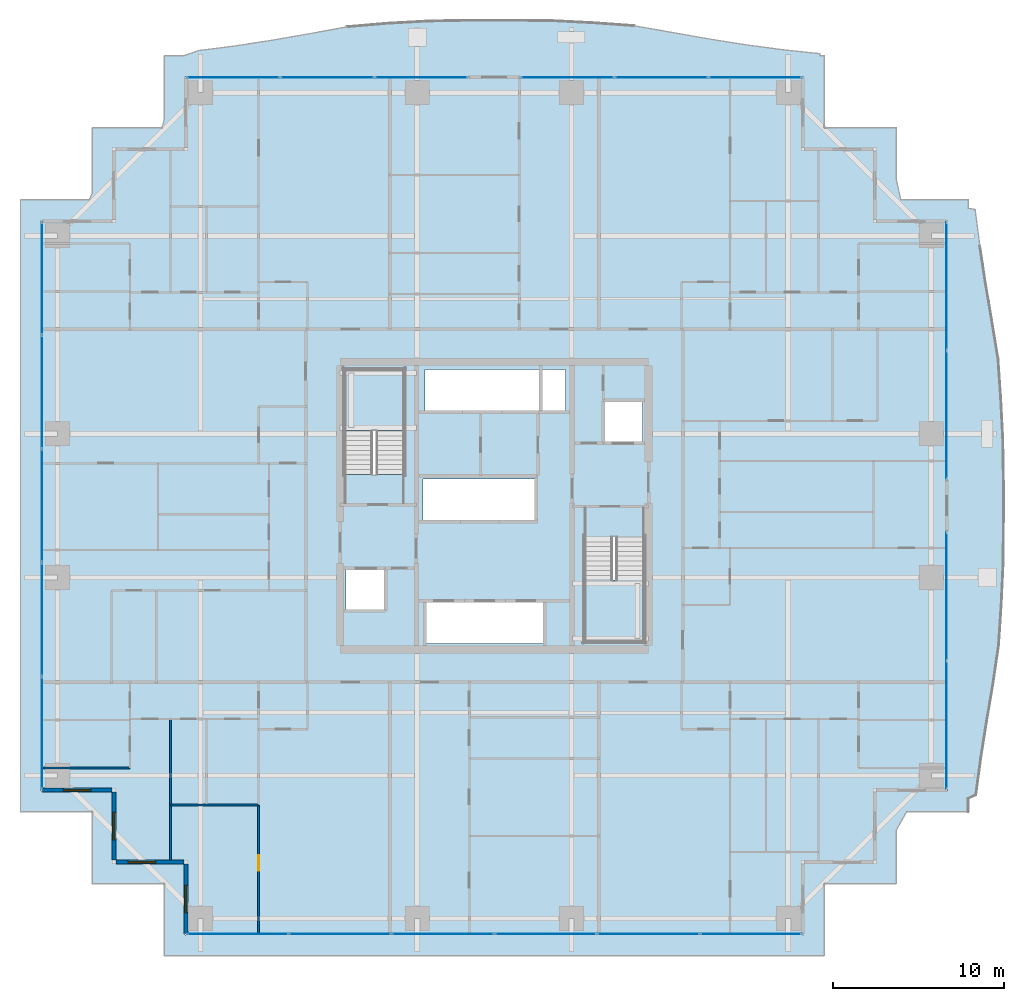
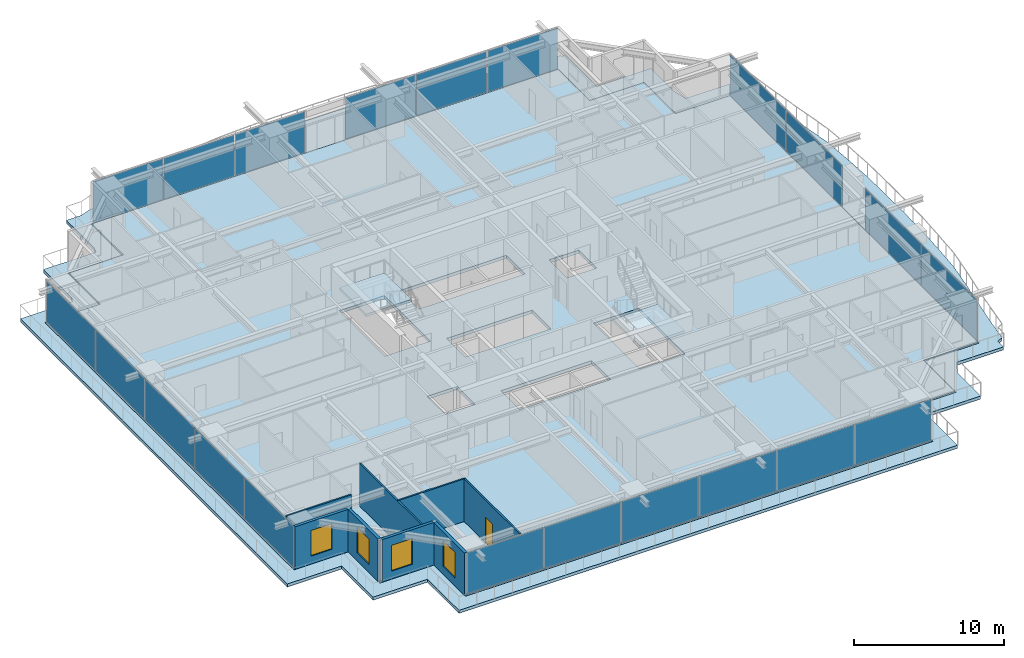
# One storey, part 25 of 37: 21 plates, 8 walls, 4 slabs, 4 windows, 1 door, 5 openings, 8 elements without a shape of their own.
"""IFC4 building model written with IfcOpenShell, lengths in metres."""

import ifcopenshell
import ifcopenshell.guid

model = None  # the IFC model being written
_history = None  # IfcOwnerHistory: only IFC2X3 demands one
_inside = {}  # id of a spatial element -> (the spatial element, [elements in it])
_under = {}  # id of a project, library or spatial element -> (it, [spatial elements below it])
_declared = {}  # id of a project -> (the project, [libraries it declares])
_typed = {}  # id of a type object -> (the type object, [elements of that type])
_made_of = {}  # id of a material, layer set ... -> (it, [elements and type objects made of it])


def new_model(schema):
    """Start an empty IFC model of exactly this schema.

    Asked for "IFC4X3", IfcOpenShell would pick the latest addendum, in which some entities
    have other attributes; the version numbers below select the first issue.
    IFC2X3 requires an IfcOwnerHistory on every rooted entity: one is made here for all.
    """
    global model, _history
    if schema == "IFC4X3":
        model = ifcopenshell.file(schema_version=(4, 3, 0, 0))
    else:
        model = ifcopenshell.file(schema=schema)
    _inside.clear()
    _under.clear()
    _declared.clear()
    _typed.clear()
    _made_of.clear()
    _history = None
    if model.schema == "IFC2X3":
        org = make("IfcOrganization", Name="unknown")
        user = make(
            "IfcPersonAndOrganization",
            ThePerson=make("IfcPerson", FamilyName="unknown"),
            TheOrganization=org,
        )
        app = make(
            "IfcApplication",
            ApplicationDeveloper=org,
            Version="unknown",
            ApplicationFullName="unknown",
            ApplicationIdentifier="unknown",
        )
        _history = make(
            "IfcOwnerHistory",
            OwningUser=user,
            OwningApplication=app,
            ChangeAction="ADDED",
            CreationDate=0,
        )
    return model


def make(cls, **values):
    """One entity of the class cls with the attributes given. An attribute that is None is left unset."""
    return model.create_entity(
        cls, **{name: value for name, value in values.items() if value is not None}
    )


def rooted(cls, **values):
    """An entity with a GlobalId (a new one), such as an element, a storey or a relation."""
    return make(cls, GlobalId=ifcopenshell.guid.new(), OwnerHistory=_history, **values)


def si_unit(unit_type, name, prefix=None):
    """IfcSIUnit, for example si_unit("LENGTHUNIT", "METRE", prefix="MILLI")."""
    return make("IfcSIUnit", UnitType=unit_type, Prefix=prefix, Name=name)


def assignment(units):
    """IfcUnitAssignment: the units of a project."""
    return None if units is None else make("IfcUnitAssignment", Units=units)


def point(xyz):
    """IfcCartesianPoint."""
    return None if xyz is None else make("IfcCartesianPoint", Coordinates=xyz)


def direction(xyz):
    """IfcDirection."""
    return None if xyz is None else make("IfcDirection", DirectionRatios=xyz)


def frame(location, z_axis=None, x_axis=None):
    """IfcAxis2Placement3D, a coordinate frame: its origin and axes. An axis left out is left unset."""
    return make(
        "IfcAxis2Placement3D",
        Location=point(location),
        Axis=direction(z_axis),
        RefDirection=direction(x_axis),
    )


def frame_2d(location, x_axis=None):
    """IfcAxis2Placement2D, a coordinate frame in the plane: its origin and x axis."""
    return make(
        "IfcAxis2Placement2D", Location=point(location), RefDirection=direction(x_axis)
    )


def origin():
    """The frame at (0, 0, 0) with its axes left unset."""
    return frame((0.0, 0.0, 0.0))


def origin_2d():
    """The frame at (0, 0) in the plane with its x axis left unset."""
    return frame_2d((0.0, 0.0))


def place(relative_to, where):
    """IfcLocalPlacement: puts the frame where relative to a parent placement (None: the world)."""
    return make(
        "IfcLocalPlacement", PlacementRelTo=relative_to, RelativePlacement=where
    )


def context(
    kind, dimensions, precision=None, world=None, true_north=None, identifier=None
):
    """IfcGeometricRepresentationContext, for example the 3D "Model" context."""
    return make(
        "IfcGeometricRepresentationContext",
        ContextIdentifier=identifier,
        ContextType=kind,
        CoordinateSpaceDimension=dimensions,
        Precision=precision,
        WorldCoordinateSystem=world,
        TrueNorth=true_north,
    )


def subcontext(parent, identifier, kind, view, scale=None):
    """IfcGeometricRepresentationSubContext, for example "Body" below "Model"."""
    return make(
        "IfcGeometricRepresentationSubContext",
        ContextIdentifier=identifier,
        ContextType=kind,
        ParentContext=parent,
        TargetScale=scale,
        TargetView=view,
    )


def project(units=None, contexts=None):
    """IfcProject with its units and contexts."""
    return rooted(
        "IfcProject",
        Name="project",
        RepresentationContexts=contexts,
        UnitsInContext=assignment(units),
    )


def spatial(cls, under=None, at=None, **own):
    """A site, building, storey or space (cls), placed at a placement, below another one or the project."""
    s = rooted(cls, ObjectPlacement=at, **own)
    if under is not None:
        _under.setdefault(under.id(), (under, []))[1].append(s)
    return s


def polyline(points):
    """IfcPolyline through the points."""
    return make("IfcPolyline", Points=[point(p) for p in points])


def profile(cls, at=None, kind="AREA", **sizes):
    """A parametric profile (cls). Its sizes go by their IFC names, for example OverallWidth=200.0."""
    return make(cls, ProfileType=kind, Position=at, **sizes)


def rectangle(**sizes):
    """IfcRectangleProfileDef."""
    return profile("IfcRectangleProfileDef", **sizes)


def outline(outer, holes=None, kind="AREA"):
    """IfcArbitraryClosedProfileDef: a profile drawn as a closed curve; with holes, ...WithVoids."""
    if holes is None:
        return make("IfcArbitraryClosedProfileDef", ProfileType=kind, OuterCurve=outer)
    return make(
        "IfcArbitraryProfileDefWithVoids",
        ProfileType=kind,
        OuterCurve=outer,
        InnerCurves=holes,
    )


def extrude(swept, where, along, depth):
    """IfcExtrudedAreaSolid: the profile swept, set in the frame where, extruded along a direction by depth."""
    return make(
        "IfcExtrudedAreaSolid",
        SweptArea=swept,
        Position=where,
        ExtrudedDirection=direction(along),
        Depth=depth,
    )


def shape(context_of_items, identifier, shape_type, items):
    """IfcShapeRepresentation: the items that make up one representation, for example the "Body"."""
    return make(
        "IfcShapeRepresentation",
        ContextOfItems=context_of_items,
        RepresentationIdentifier=identifier,
        RepresentationType=shape_type,
        Items=items,
    )


def source(mapping_origin, context_of_items, identifier, shape_type, items):
    """IfcRepresentationMap: a shape defined once, which mapped items show again and again."""
    return make(
        "IfcRepresentationMap",
        MappingOrigin=mapping_origin,
        MappedRepresentation=shape(context_of_items, identifier, shape_type, items),
    )


def transform(
    local_origin,
    x_axis=None,
    y_axis=None,
    z_axis=None,
    scale=None,
    scale2=None,
    scale3=None,
    uniform=True,
):
    """IfcCartesianTransformationOperator3D, or its non-uniform kind. x_axis, y_axis, z_axis: its Axis1, 2, 3."""
    if uniform:
        return make(
            "IfcCartesianTransformationOperator3D",
            Axis1=direction(x_axis),
            Axis2=direction(y_axis),
            LocalOrigin=point(local_origin),
            Scale=scale,
            Axis3=direction(z_axis),
        )
    return make(
        "IfcCartesianTransformationOperator3DnonUniform",
        Axis1=direction(x_axis),
        Axis2=direction(y_axis),
        LocalOrigin=point(local_origin),
        Scale=scale,
        Axis3=direction(z_axis),
        Scale2=scale2,
        Scale3=scale3,
    )


def mapped(mapping_source, mapping_target):
    """IfcMappedItem: shows the shape of a source again, moved by a transform."""
    return make(
        "IfcMappedItem", MappingSource=mapping_source, MappingTarget=mapping_target
    )


def material(Name=None, Category=None):
    """IfcMaterial."""
    return make("IfcMaterial", Name=Name, Category=Category)


def layer(
    of_material, thickness, ventilated=None, Name=None, Category=None, Priority=None
):
    """IfcMaterialLayer: one layer of a wall or slab, of a material (None: an air gap)."""
    return make(
        "IfcMaterialLayer",
        Material=of_material,
        LayerThickness=thickness,
        IsVentilated=ventilated,
        Name=Name,
        Category=Category,
        Priority=Priority,
    )


def layer_set(layers, Name=None):
    """IfcMaterialLayerSet."""
    return make("IfcMaterialLayerSet", MaterialLayers=layers, LayerSetName=Name)


def made_of(thing, what):
    """Note that an element or type object is made of a material, layer set ...; save() writes the relation."""
    if what is not None:
        _made_of.setdefault(what.id(), (what, []))[1].append(thing)
    return thing


def type_object(cls, material=None, **own):
    """A type object (cls), such as IfcWallType, which elements share."""
    return made_of(rooted(cls, **own), material)


def element(
    cls,
    number,
    at=None,
    inside=None,
    cuts=None,
    type_object=None,
    material=None,
    context=None,
    identifier="Body",
    shape_type=None,
    held_by="IfcProductDefinitionShape",
    body=None,
    shapes=None,
    **own,
):
    """One element of the class cls, such as IfcWall. Its Tag is "e" and its number.

    at: its placement. inside: the storey or other place that contains it. cuts: it is an
    opening in that element (IfcRelVoidsElement). A single representation is given by context,
    identifier, shape_type and body (its items); several are given by shapes. held_by: the class
    of the entity that holds the representations. save() writes the other relations.
    """
    e = rooted(cls, Tag="e%d" % number, ObjectPlacement=at, **own)
    if body is not None:
        shapes = [shape(context, identifier, shape_type, body)]
    if shapes is not None:
        e.Representation = make(held_by, Representations=shapes)
    if inside is not None:
        _inside.setdefault(inside.id(), (inside, []))[1].append(e)
    if cuts is not None:
        rooted(
            "IfcRelVoidsElement", RelatingBuildingElement=cuts, RelatedOpeningElement=e
        )
    if type_object is not None:
        _typed.setdefault(type_object.id(), (type_object, []))[1].append(e)
    return made_of(e, material)


def fill(opening, filler):
    """IfcRelFillsElement: the door or window that sits in an opening."""
    return rooted(
        "IfcRelFillsElement",
        RelatingOpeningElement=opening,
        RelatedBuildingElement=filler,
    )


def aggregate(whole, parts):
    """IfcRelAggregates: a whole, such as a stair, and the parts it consists of."""
    return rooted("IfcRelAggregates", RelatingObject=whole, RelatedObjects=parts)


def save(model, path):
    """Write the relations noted so far, then the file.

    IfcRelAggregates (storeys below a building ...), IfcRelContainedInSpatialStructure (elements
    in a storey), IfcRelDefinesByType, IfcRelAssociatesMaterial and IfcRelDeclares: one each for
    every whole, place, type object, material and project.
    """
    for whole, parts in _under.values():
        aggregate(whole, parts)
    for where, things in _inside.values():
        rooted(
            "IfcRelContainedInSpatialStructure",
            RelatedElements=things,
            RelatingStructure=where,
        )
    for kind, things in _typed.values():
        rooted("IfcRelDefinesByType", RelatedObjects=things, RelatingType=kind)
    for what, things in _made_of.values():
        rooted("IfcRelAssociatesMaterial", RelatedObjects=things, RelatingMaterial=what)
    for by, libraries in _declared.values():
        rooted("IfcRelDeclares", RelatingContext=by, RelatedDefinitions=libraries)
    model.write(path)


model = new_model("IFC4")

# Units and contexts
model_context = context("Model", 3, precision=1e-05, world=origin(), true_north=direction((0.0, 1.0)))
body_context = subcontext(model_context, "Body", "Model", "MODEL_VIEW")
ifc_project = project(units=[si_unit("LENGTHUNIT", "METRE"), si_unit("AREAUNIT", "SQUARE_METRE"), si_unit("VOLUMEUNIT", "CUBIC_METRE"), si_unit("PLANEANGLEUNIT", "RADIAN"), si_unit("MASSUNIT", "GRAM", prefix="KILO")], contexts=[model_context])

# Site, building, storey
site_placement = place(None, origin())
site = spatial("IfcSite", under=ifc_project, at=site_placement, CompositionType="ELEMENT")
building_placement = place(site_placement, origin())
building = spatial("IfcBuilding", under=site, at=building_placement, Name="Serunith Strait Residences", CompositionType="ELEMENT")
storey_placement = place(building_placement, frame((0.0, 0.0, 34.199951171875)))
storey = spatial("IfcBuildingStorey", under=building, at=storey_placement, Name="L07", CompositionType="ELEMENT", Elevation=34.199951171875)

# Slab
ifc_material_1 = material(Name="Concrete C50/60", Category="concrete")
ifc_layer_1 = layer(ifc_material_1, 0.239990234375, Name="Concrete C50/60")
ifc_layer_set_1 = layer_set([ifc_layer_1], Name="Concrete C50/60")
slab_type_1 = type_object("IfcSlabType", Name="SLB-BALC-240", PredefinedType="FLOOR", material=ifc_layer_set_1)
slab_1_placement = place(storey_placement, frame((0.0, 0.0, -0.2900390625)))
element("IfcSlab", 1, at=slab_1_placement, inside=storey, type_object=slab_type_1, Name="L07 Planted Vertical-Forest Balcony Slab", PredefinedType="FLOOR", context=body_context, shape_type="SweptSolid", body=[
    extrude(outline(polyline([(13.00341796875, 47.260009765625), (13.139892578125, 47.77490234375), (13.139892578125, 51.4599609375), (14.294921875, 51.4599609375), (15.12109375, 51.755859375), (17.243408203125, 52.02587890625), (19.3837890625, 52.35498046875), (21.560302734375, 52.73486328125), (23.7939453125, 53.141357421875), (26.14306640625, 53.342041015625), (28.535888671875, 53.47412109375), (30.954345703125, 53.52001953125), (33.383056640625, 53.52001953125), (35.8046875, 53.492919921875), (38.203125, 53.37109375), (40.5673828125, 53.2021484375), (42.818603515625, 52.8115234375), (45.004638671875, 52.424072265625), (47.150390625, 52.084228515625), (49.275146484375, 51.802734375), (51.392578125, 51.578857421875), (51.391845703125, 51.4599609375), (51.659912109375, 51.4599609375), (51.659912109375, 47.260009765625), (55.860107421875, 47.260009765625), (55.860107421875, 44.209716796875), (56.122802734375, 43.06005859375), (60.06005859375, 43.06005859375), (60.06005859375, 42.552001953125), (60.45751953125, 42.488037109375), (60.734375, 40.360107421875), (61.06298828125, 38.210693359375), (61.432861328125, 36.023193359375), (61.802001953125, 33.775634765625), (61.963134765625, 31.42431640625), (62.082763671875, 29.04150390625), (62.1201171875, 26.63671875), (62.1201171875, 24.22314453125), (62.099609375, 21.815673828125), (61.989501953125, 19.427734375), (61.83544921875, 17.070068359375), (61.506103515625, 14.7998046875), (61.131103515625, 12.60302734375), (60.793212890625, 10.44775390625), (60.506103515625, 8.31689453125), (60.06005859375, 8.11279296875), (60.06005859375, 7.340087890625), (56.46923828125, 7.340087890625), (55.860107421875, 6.272705078125), (55.860107421875, 3.139892578125), (51.659912109375, 3.139892578125), (51.659912109375, -1.06005859375), (13.139892578125, -1.06005859375), (13.139892578125, 3.139892578125), (8.93994140625, 3.139892578125), (8.93994140625, 7.340087890625), (4.739990234375, 7.340087890625), (4.739990234375, 43.06005859375), (8.7587890625, 43.06005859375), (8.93994140625, 43.457763671875), (8.93994140625, 47.260009765625), (13.00341796875, 47.260009765625)]), holes=[polyline([(50.455078125, 0.14501953125), (50.455078125, 4.344970703125), (54.655029296875, 4.344970703125), (54.655029296875, 8.544921875), (58.85498046875, 8.544921875), (58.85498046875, 41.85498046875), (54.655029296875, 41.85498046875), (54.655029296875, 46.054931640625), (50.455078125, 46.054931640625), (50.455078125, 50.2548828125), (14.344970703125, 50.2548828125), (14.344970703125, 46.054931640625), (10.14501953125, 46.054931640625), (10.14501953125, 41.85498046875), (5.945068359375, 41.85498046875), (5.945068359375, 8.544921875), (10.14501953125, 8.544921875), (10.14501953125, 4.344970703125), (14.344970703125, 4.344970703125), (14.344970703125, 0.14501953125), (50.455078125, 0.14501953125)])]), origin(), (0.0, 0.0, 1.0), 0.239990234375),
])

# Stair, slab
stair_type_1 = type_object("IfcStairType", Name="STR-CORE-1", PredefinedType="HALF_TURN_STAIR", material=ifc_material_1)
stair_1_placement = place(storey_placement, origin())
stair_1 = element("IfcStair", 2, at=stair_1_placement, inside=storey, type_object=stair_type_1, Name="L07 Protected Escape Stair ST-1", PredefinedType="HALF_TURN_STAIR")
ifc_layer_2 = layer(ifc_material_1, 0.199951171875, Name="Concrete C50/60")
ifc_layer_set_2 = layer_set([ifc_layer_2], Name="Concrete C50/60")
slab_type_2 = type_object("IfcSlabType", Name="SLB-LAND-200", PredefinedType="LANDING", material=ifc_layer_set_2)
slab_2_placement = place(storey_placement, frame((0.0, 0.0, 1.675048828125)))
slab_2 = element("IfcSlab", 3, at=slab_2_placement, type_object=slab_type_2, Name="ST-1 landing 1", PredefinedType="LANDING", context=body_context, shape_type="SweptSolid", body=[
    extrude(outline(polyline([(27.14990234375, 29.550048828125), (27.14990234375, 33.14990234375), (23.64990234375, 33.14990234375), (23.64990234375, 29.550048828125), (27.14990234375, 29.550048828125)])), origin(), (0.0, 0.0, 1.0), 0.199951171875),
])
aggregate(stair_1, [slab_2])

stair_type_2 = type_object("IfcStairType", Name="STR-CORE-2", PredefinedType="HALF_TURN_STAIR", material=ifc_material_1)
stair_2_placement = place(storey_placement, origin())
stair_2 = element("IfcStair", 4, at=stair_2_placement, inside=storey, type_object=stair_type_2, Name="L07 Protected Escape Stair ST-2", PredefinedType="HALF_TURN_STAIR")
slab_3_placement = place(storey_placement, frame((0.0, 0.0, 1.675048828125)))
slab_3 = element("IfcSlab", 5, at=slab_3_placement, type_object=slab_type_2, Name="ST-2 landing 1", PredefinedType="LANDING", context=body_context, shape_type="SweptSolid", body=[
    extrude(outline(polyline([(37.64990234375, 20.85009765625), (37.64990234375, 17.25), (41.14990234375, 17.25), (41.14990234375, 20.85009765625), (37.64990234375, 20.85009765625)])), origin(), (0.0, 0.0, 1.0), 0.199951171875),
])
aggregate(stair_2, [slab_3])

# Slab
ifc_material_2 = material(Name="Concrete C60/75", Category="concrete")
ifc_layer_3 = layer(ifc_material_2, 0.260009765625, Name="Concrete C60/75")
ifc_layer_set_3 = layer_set([ifc_layer_3], Name="Concrete C60/75")
slab_type_3 = type_object("IfcSlabType", Name="SLB-TWR-260-Z1", PredefinedType="FLOOR", material=ifc_layer_set_3)
slab_4_placement = place(storey_placement, frame((0.0, 0.0, -0.260009765625)))
element("IfcSlab", 6, at=slab_4_placement, inside=storey, type_object=slab_type_3, Name="L07 Structural Floor Plate", PredefinedType="FLOOR", context=body_context, shape_type="SweptSolid", body=[
    extrude(outline(polyline([(14.39990234375, 4.39990234375), (10.199951171875, 4.39990234375), (10.199951171875, 8.60009765625), (6.0, 8.60009765625), (6.0, 41.800048828125), (10.199951171875, 41.800048828125), (10.199951171875, 46.0), (14.39990234375, 46.0), (14.39990234375, 50.199951171875), (50.39990234375, 50.199951171875), (50.39990234375, 46.0), (54.60009765625, 46.0), (54.60009765625, 41.800048828125), (58.800048828125, 41.800048828125), (58.800048828125, 8.60009765625), (54.60009765625, 8.60009765625), (54.60009765625, 4.39990234375), (50.39990234375, 4.39990234375), (50.39990234375, 0.199951171875), (14.39990234375, 0.199951171875), (14.39990234375, 4.39990234375)]), holes=[polyline([(41.14990234375, 17.25), (41.14990234375, 23.3701171875), (37.64990234375, 23.3701171875), (37.64990234375, 17.25), (41.14990234375, 17.25)]), polyline([(41.050048828125, 31.25), (38.75, 31.25), (38.75, 28.85009765625), (41.050048828125, 28.85009765625), (41.050048828125, 31.25)]), polyline([(36.550048828125, 33.14990234375), (28.35009765625, 33.14990234375), (28.35009765625, 30.64990234375), (36.550048828125, 30.64990234375), (36.550048828125, 33.14990234375)]), polyline([(28.35009765625, 19.64990234375), (28.35009765625, 17.14990234375), (35.35009765625, 17.14990234375), (35.35009765625, 19.64990234375), (28.35009765625, 19.64990234375)]), polyline([(34.85009765625, 26.75), (28.25, 26.75), (28.25, 24.25), (34.85009765625, 24.25), (34.85009765625, 26.75)]), polyline([(23.64990234375, 33.14990234375), (23.64990234375, 27.030029296875), (27.14990234375, 27.030029296875), (27.14990234375, 33.14990234375), (23.64990234375, 33.14990234375)]), polyline([(26.050048828125, 21.550048828125), (23.75, 21.550048828125), (23.75, 19.14990234375), (26.050048828125, 19.14990234375), (26.050048828125, 21.550048828125)])]), origin(), (0.0, 0.0, 1.0), 0.260009765625),
])

# Curtain wall, plates
ifc_material_3 = material(Name="Pale-Champagne Anodised Aluminium", Category="aluminium")
ifc_layer_4 = layer(ifc_material_3, 0.199951171875, Name="Pale-Champagne Anodised Aluminium")
ifc_layer_set_4 = layer_set([ifc_layer_4], Name="Pale-Champagne Anodised Aluminium")
curtain_wall_type = type_object("IfcCurtainWallType", Name="CW-SYS1", PredefinedType="NOTDEFINED", material=ifc_layer_set_4)
curtain_wall_1_placement = place(storey_placement, origin())
curtain_wall_1 = element("IfcCurtainWall", 7, at=curtain_wall_1_placement, inside=storey, type_object=curtain_wall_type, Name="L07 S Unitised Fritted Curtain Wall", PredefinedType="NOTDEFINED")
ifc_material_4 = material(Name="Ceramic-Fritted Low-E Double Glazing 28mm", Category="glass")
ifc_layer_5 = layer(ifc_material_4, 0.028076171875, Name="Ceramic-Fritted Low-E Double Glazing 28mm")
ifc_layer_set_5 = layer_set([ifc_layer_5], Name="Ceramic-Fritted Low-E Double Glazing 28mm")
plate_type = type_object("IfcPlateType", Name="CW-SYS1-PNL", PredefinedType="CURTAIN_PANEL", material=ifc_layer_set_5)
shared_shape_1 = source(origin(), body_context, "Body", "SweptSolid", [
    extrude(rectangle(XDim=5.89501953125, YDim=0.028076171875, at=origin_2d()), origin(), (0.0, 0.0, 1.0), 3.35498046875),
])
plate_1_placement = place(storey_placement, frame((17.41748046875, 0.199951171875, 0.06005859375), z_axis=(0.0, 0.0, 1.0), x_axis=(1.0, 0.0, 0.0)))
plate_1 = element("IfcPlate", 8, at=plate_1_placement, type_object=plate_type, Name="CW-1 panel 1.1", PredefinedType="CURTAIN_PANEL", context=body_context, shape_type="MappedRepresentation", body=[
    mapped(shared_shape_1, transform((0.0, 0.0, 0.0), scale=1.0)),
])
plate_2_placement = place(storey_placement, frame((47.382568359375, 0.199951171875, 0.06005859375), z_axis=(0.0, 0.0, 1.0), x_axis=(1.0, 0.0, 0.0)))
plate_2 = element("IfcPlate", 9, at=plate_2_placement, type_object=plate_type, Name="CW-1 panel 6.1", PredefinedType="CURTAIN_PANEL", context=body_context, shape_type="MappedRepresentation", body=[
    mapped(shared_shape_1, transform((0.0, 0.0, 0.0), scale=1.0)),
])
shared_shape_2 = source(origin(), body_context, "Body", "SweptSolid", [
    extrude(rectangle(XDim=5.929931640625, YDim=0.028076171875, at=origin_2d()), origin(), (0.0, 0.0, 1.0), 3.35498046875),
])
plate_3_placement = place(storey_placement, frame((23.39990234375, 0.199951171875, 0.06005859375), z_axis=(0.0, 0.0, 1.0), x_axis=(1.0, 0.0, 0.0)))
plate_3 = element("IfcPlate", 10, at=plate_3_placement, type_object=plate_type, Name="CW-1 panel 2.1", PredefinedType="CURTAIN_PANEL", context=body_context, shape_type="MappedRepresentation", body=[
    mapped(shared_shape_2, transform((0.0, 0.0, 0.0), scale=1.0)),
])
plate_4_placement = place(storey_placement, frame((29.39990234375, 0.199951171875, 0.06005859375), z_axis=(0.0, 0.0, 1.0), x_axis=(1.0, 0.0, 0.0)))
plate_4 = element("IfcPlate", 11, at=plate_4_placement, type_object=plate_type, Name="CW-1 panel 3.1", PredefinedType="CURTAIN_PANEL", context=body_context, shape_type="MappedRepresentation", body=[
    mapped(shared_shape_2, transform((0.0, 0.0, 0.0), scale=1.0)),
])
plate_5_placement = place(storey_placement, frame((35.39990234375, 0.199951171875, 0.06005859375), z_axis=(0.0, 0.0, 1.0), x_axis=(1.0, 0.0, 0.0)))
plate_5 = element("IfcPlate", 12, at=plate_5_placement, type_object=plate_type, Name="CW-1 panel 4.1", PredefinedType="CURTAIN_PANEL", context=body_context, shape_type="MappedRepresentation", body=[
    mapped(shared_shape_2, transform((0.0, 0.0, 0.0), scale=1.0)),
])
plate_6_placement = place(storey_placement, frame((41.39990234375, 0.199951171875, 0.06005859375), z_axis=(0.0, 0.0, 1.0), x_axis=(1.0, 0.0, 0.0)))
plate_6 = element("IfcPlate", 13, at=plate_6_placement, type_object=plate_type, Name="CW-1 panel 5.1", PredefinedType="CURTAIN_PANEL", context=body_context, shape_type="MappedRepresentation", body=[
    mapped(shared_shape_2, transform((0.0, 0.0, 0.0), scale=1.0)),
])
aggregate(curtain_wall_1, [plate_1, plate_3, plate_4, plate_5, plate_6, plate_2])

curtain_wall_2_placement = place(storey_placement, origin())
curtain_wall_2 = element("IfcCurtainWall", 14, at=curtain_wall_2_placement, inside=storey, type_object=curtain_wall_type, Name="L07 E Unitised Fritted Curtain Wall", PredefinedType="NOTDEFINED")
shared_shape_3 = source(origin(), body_context, "Body", "SweptSolid", [
    extrude(rectangle(XDim=7.445068359375, YDim=0.028076171875, at=origin_2d()), origin(), (0.0, 0.0, 1.0), 3.35498046875),
])
plate_7_placement = place(storey_placement, frame((58.800048828125, 12.392578125, 0.06005859375), z_axis=(0.0, 0.0, 1.0), x_axis=(0.0, 1.0, 0.0)))
plate_7 = element("IfcPlate", 15, at=plate_7_placement, type_object=plate_type, Name="CW-1 panel 1.1", PredefinedType="CURTAIN_PANEL", context=body_context, shape_type="MappedRepresentation", body=[
    mapped(shared_shape_3, transform((0.0, 0.0, 0.0), scale=1.0)),
])
plate_8_placement = place(storey_placement, frame((58.800048828125, 19.907470703125, 0.06005859375), z_axis=(0.0, 0.0, 1.0), x_axis=(0.0, 1.0, 0.0)))
plate_8 = element("IfcPlate", 16, at=plate_8_placement, type_object=plate_type, Name="CW-1 panel 2.1", PredefinedType="CURTAIN_PANEL", context=body_context, shape_type="MappedRepresentation", body=[
    mapped(shared_shape_3, transform((0.0, 0.0, 0.0), scale=1.0)),
])
aggregate(curtain_wall_2, [plate_7, plate_8])

curtain_wall_3_placement = place(storey_placement, origin())
curtain_wall_3 = element("IfcCurtainWall", 17, at=curtain_wall_3_placement, inside=storey, type_object=curtain_wall_type, Name="L07 E Unitised Fritted Curtain Wall", PredefinedType="NOTDEFINED")
plate_9_placement = place(storey_placement, frame((58.800048828125, 30.492431640625, 0.06005859375), z_axis=(0.0, 0.0, 1.0), x_axis=(0.0, 1.0, 0.0)))
plate_9 = element("IfcPlate", 18, at=plate_9_placement, type_object=plate_type, Name="CW-1 panel 1.1", PredefinedType="CURTAIN_PANEL", context=body_context, shape_type="MappedRepresentation", body=[
    mapped(shared_shape_3, transform((0.0, 0.0, 0.0), scale=1.0)),
])
plate_10_placement = place(storey_placement, frame((58.800048828125, 38.007568359375, 0.06005859375), z_axis=(0.0, 0.0, 1.0), x_axis=(0.0, 1.0, 0.0)))
plate_10 = element("IfcPlate", 19, at=plate_10_placement, type_object=plate_type, Name="CW-1 panel 2.1", PredefinedType="CURTAIN_PANEL", context=body_context, shape_type="MappedRepresentation", body=[
    mapped(shared_shape_3, transform((0.0, 0.0, 0.0), scale=1.0)),
])
aggregate(curtain_wall_3, [plate_9, plate_10])

curtain_wall_4_placement = place(storey_placement, origin())
curtain_wall_4 = element("IfcCurtainWall", 20, at=curtain_wall_4_placement, inside=storey, type_object=curtain_wall_type, Name="L07 N Unitised Fritted Curtain Wall", PredefinedType="NOTDEFINED")
shared_shape_4 = source(origin(), body_context, "Body", "SweptSolid", [
    extrude(rectangle(XDim=5.39501953125, YDim=0.028076171875, at=origin_2d()), origin(), (0.0, 0.0, 1.0), 3.35498046875),
])
plate_11_placement = place(storey_placement, frame((47.632568359375, 50.199951171875, 0.06005859375), z_axis=(0.0, 0.0, 1.0), x_axis=(-1.0, 0.0, 0.0)))
plate_11 = element("IfcPlate", 21, at=plate_11_placement, type_object=plate_type, Name="CW-1 panel 1.1", PredefinedType="CURTAIN_PANEL", context=body_context, shape_type="MappedRepresentation", body=[
    mapped(shared_shape_4, transform((0.0, 0.0, 0.0), scale=1.0)),
])
plate_12_placement = place(storey_placement, frame((36.66748046875, 50.199951171875, 0.06005859375), z_axis=(0.0, 0.0, 1.0), x_axis=(-1.0, 0.0, 0.0)))
plate_12 = element("IfcPlate", 22, at=plate_12_placement, type_object=plate_type, Name="CW-1 panel 3.1", PredefinedType="CURTAIN_PANEL", context=body_context, shape_type="MappedRepresentation", body=[
    mapped(shared_shape_4, transform((0.0, 0.0, 0.0), scale=1.0)),
])

curtain_wall_5_placement = place(storey_placement, origin())
curtain_wall_5 = element("IfcCurtainWall", 23, at=curtain_wall_5_placement, inside=storey, type_object=curtain_wall_type, Name="L07 N Unitised Fritted Curtain Wall", PredefinedType="NOTDEFINED")
plate_13_placement = place(storey_placement, frame((28.132568359375, 50.199951171875, 0.06005859375), z_axis=(0.0, 0.0, 1.0), x_axis=(-1.0, 0.0, 0.0)))
plate_13 = element("IfcPlate", 24, at=plate_13_placement, type_object=plate_type, Name="CW-1 panel 1.1", PredefinedType="CURTAIN_PANEL", context=body_context, shape_type="MappedRepresentation", body=[
    mapped(shared_shape_4, transform((0.0, 0.0, 0.0), scale=1.0)),
])
plate_14_placement = place(storey_placement, frame((17.16748046875, 50.199951171875, 0.06005859375), z_axis=(0.0, 0.0, 1.0), x_axis=(-1.0, 0.0, 0.0)))
plate_14 = element("IfcPlate", 25, at=plate_14_placement, type_object=plate_type, Name="CW-1 panel 3.1", PredefinedType="CURTAIN_PANEL", context=body_context, shape_type="MappedRepresentation", body=[
    mapped(shared_shape_4, transform((0.0, 0.0, 0.0), scale=1.0)),
])

# Plate
shared_shape_5 = source(origin(), body_context, "Body", "SweptSolid", [
    extrude(rectangle(XDim=5.429931640625, YDim=0.028076171875, at=origin_2d()), origin(), (0.0, 0.0, 1.0), 3.35498046875),
])
plate_15_placement = place(storey_placement, frame((42.14990234375, 50.199951171875, 0.06005859375), z_axis=(0.0, 0.0, 1.0), x_axis=(-1.0, 0.0, 0.0)))
plate_15 = element("IfcPlate", 26, at=plate_15_placement, type_object=plate_type, Name="CW-1 panel 2.1", PredefinedType="CURTAIN_PANEL", context=body_context, shape_type="MappedRepresentation", body=[
    mapped(shared_shape_5, transform((0.0, 0.0, 0.0), scale=1.0)),
])

aggregate(curtain_wall_4, [plate_11, plate_15, plate_12])

plate_16_placement = place(storey_placement, frame((22.64990234375, 50.199951171875, 0.06005859375), z_axis=(0.0, 0.0, 1.0), x_axis=(-1.0, 0.0, 0.0)))
plate_16 = element("IfcPlate", 27, at=plate_16_placement, type_object=plate_type, Name="CW-1 panel 2.1", PredefinedType="CURTAIN_PANEL", context=body_context, shape_type="MappedRepresentation", body=[
    mapped(shared_shape_5, transform((0.0, 0.0, 0.0), scale=1.0)),
])

aggregate(curtain_wall_5, [plate_13, plate_16, plate_14])

# Curtain wall, plates
curtain_wall_6_placement = place(storey_placement, origin())
curtain_wall_6 = element("IfcCurtainWall", 28, at=curtain_wall_6_placement, inside=storey, type_object=curtain_wall_type, Name="L07 W Unitised Fritted Curtain Wall", PredefinedType="NOTDEFINED")
shared_shape_6 = source(origin(), body_context, "Body", "SweptSolid", [
    extrude(rectangle(XDim=6.534912109375, YDim=0.028076171875, at=origin_2d()), origin(), (0.0, 0.0, 1.0), 3.35498046875),
])
plate_17_placement = place(storey_placement, frame((6.0, 38.46240234375, 0.06005859375), z_axis=(0.0, 0.0, 1.0), x_axis=(0.0, -1.0, 0.0)))
plate_17 = element("IfcPlate", 29, at=plate_17_placement, type_object=plate_type, Name="CW-1 panel 1.1", PredefinedType="CURTAIN_PANEL", context=body_context, shape_type="MappedRepresentation", body=[
    mapped(shared_shape_6, transform((0.0, 0.0, 0.0), scale=1.0)),
])
plate_18_placement = place(storey_placement, frame((6.0, 11.9375, 0.06005859375), z_axis=(0.0, 0.0, 1.0), x_axis=(0.0, -1.0, 0.0)))
plate_18 = element("IfcPlate", 30, at=plate_18_placement, type_object=plate_type, Name="CW-1 panel 5.1", PredefinedType="CURTAIN_PANEL", context=body_context, shape_type="MappedRepresentation", body=[
    mapped(shared_shape_6, transform((0.0, 0.0, 0.0), scale=1.0)),
])
shared_shape_7 = source(origin(), body_context, "Body", "SweptSolid", [
    extrude(rectangle(XDim=6.570068359375, YDim=0.028076171875, at=origin_2d()), origin(), (0.0, 0.0, 1.0), 3.35498046875),
])
plate_19_placement = place(storey_placement, frame((6.0, 31.840087890625, 0.06005859375), z_axis=(0.0, 0.0, 1.0), x_axis=(0.0, -1.0, 0.0)))
plate_19 = element("IfcPlate", 31, at=plate_19_placement, type_object=plate_type, Name="CW-1 panel 2.1", PredefinedType="CURTAIN_PANEL", context=body_context, shape_type="MappedRepresentation", body=[
    mapped(shared_shape_7, transform((0.0, 0.0, 0.0), scale=1.0)),
])
plate_20_placement = place(storey_placement, frame((6.0, 25.199951171875, 0.06005859375), z_axis=(0.0, 0.0, 1.0), x_axis=(0.0, -1.0, 0.0)))
plate_20 = element("IfcPlate", 32, at=plate_20_placement, type_object=plate_type, Name="CW-1 panel 3.1", PredefinedType="CURTAIN_PANEL", context=body_context, shape_type="MappedRepresentation", body=[
    mapped(shared_shape_7, transform((0.0, 0.0, 0.0), scale=1.0)),
])
plate_21_placement = place(storey_placement, frame((6.0, 18.56005859375, 0.06005859375), z_axis=(0.0, 0.0, 1.0), x_axis=(0.0, -1.0, 0.0)))
plate_21 = element("IfcPlate", 33, at=plate_21_placement, type_object=plate_type, Name="CW-1 panel 4.1", PredefinedType="CURTAIN_PANEL", context=body_context, shape_type="MappedRepresentation", body=[
    mapped(shared_shape_7, transform((0.0, 0.0, 0.0), scale=1.0)),
])
aggregate(curtain_wall_6, [plate_17, plate_19, plate_20, plate_21, plate_18])

# Wall, opening, window
ifc_material_5 = material(Name="Pale-Champagne Aluminium Insulated Panel", Category="aluminium")
ifc_layer_6 = layer(ifc_material_5, 0.219970703125, Name="Pale-Champagne Aluminium Insulated Panel")
ifc_layer_set_6 = layer_set([ifc_layer_6], Name="Pale-Champagne Aluminium Insulated Panel")
wall_type_1 = type_object("IfcWallType", Name="EW-ALUM-220", PredefinedType="ELEMENTEDWALL", material=ifc_layer_set_6)
wall_1_placement = place(storey_placement, frame((6.0, 8.60009765625, 0.0), z_axis=(0.0, 0.0, 1.0), x_axis=(1.0, 0.0, 0.0)))
wall_1 = element("IfcWall", 34, at=wall_1_placement, inside=storey, type_object=wall_type_1, Name="L07 Girih Serrated Corner Wall 17", PredefinedType="ELEMENTEDWALL", context=body_context, shape_type="SweptSolid", body=[
    extrude(rectangle(XDim=4.090087890625, YDim=0.219970703125, at=frame_2d((2.044921875, 0.0))), origin(), (0.0, 0.0, 1.0), 3.47509765625),
])
opening_1_placement = place(wall_1_placement, frame((1.2451171875, 0.0, 0.64990234375)))
opening_1 = element("IfcOpeningElement", 35, at=opening_1_placement, cuts=wall_1, Name="Opening W-02", PredefinedType="OPENING", context=body_context, shape_type="SweptSolid", body=[
    extrude(rectangle(XDim=1.60009765625, YDim=2.10009765625, at=frame_2d((0.800048828125, 1.050048828125))), frame((0.0, 0.1201171875, 0.0), z_axis=(0.0, -1.0, 0.0), x_axis=(1.0, 0.0, 0.0)), (0.0, 0.0, 1.0), 0.239990234375),
])
ifc_material_6 = material(Name="Ceramic-Fritted Operable Aluminium Window Glass", Category="aluminium")
window_type = type_object("IfcWindowType", Name="WIN-C2", PartitioningType="DOUBLE_PANEL_VERTICAL", PredefinedType="WINDOW", material=ifc_material_6)
shared_shape_8 = source(origin(), body_context, "Body", "SweptSolid", [
    extrude(rectangle(XDim=1.60009765625, YDim=2.10009765625, at=frame_2d((0.800048828125, 1.050048828125))), frame((0.0, 0.030029296875, 0.0), z_axis=(0.0, -1.0, 0.0), x_axis=(1.0, 0.0, 0.0)), (0.0, 0.0, 1.0), 0.06005859375),
])
window_1_placement = place(opening_1_placement, origin())
window_1 = element("IfcWindow", 36, at=window_1_placement, inside=storey, type_object=window_type, Name="L07 Corner Operable Fritted Window 17", OverallHeight=2.10009765625, OverallWidth=1.60009765625, PartitioningType="SINGLE_PANEL", PredefinedType="WINDOW", context=body_context, shape_type="MappedRepresentation", body=[
    mapped(shared_shape_8, transform((0.0, 0.0, 0.0), scale=1.0)),
])
fill(opening_1, window_1)

wall_2_placement = place(storey_placement, frame((10.199951171875, 8.489990234375, 0.0), z_axis=(0.0, 0.0, 1.0), x_axis=(0.0, -1.0, 0.0)))
wall_2 = element("IfcWall", 37, at=wall_2_placement, inside=storey, type_object=wall_type_1, Name="L07 Girih Serrated Corner Wall 18", PredefinedType="ELEMENTEDWALL", context=body_context, shape_type="SweptSolid", body=[
    extrude(rectangle(XDim=3.97998046875, YDim=0.219970703125, at=frame_2d((1.989990234375, 0.0))), origin(), (0.0, 0.0, 1.0), 3.47509765625),
])
opening_2_placement = place(wall_2_placement, frame((1.18994140625, 0.0, 0.64990234375)))
opening_2 = element("IfcOpeningElement", 38, at=opening_2_placement, cuts=wall_2, Name="Opening W-02", PredefinedType="OPENING", context=body_context, shape_type="SweptSolid", body=[
    extrude(rectangle(XDim=1.60009765625, YDim=2.10009765625, at=frame_2d((0.800048828125, 1.050048828125))), frame((0.0, 0.1201171875, 0.0), z_axis=(0.0, -1.0, 0.0), x_axis=(1.0, 0.0, 0.0)), (0.0, 0.0, 1.0), 0.239990234375),
])
window_2_placement = place(opening_2_placement, origin())
window_2 = element("IfcWindow", 39, at=window_2_placement, inside=storey, type_object=window_type, Name="L07 Corner Operable Fritted Window 18", OverallHeight=2.10009765625, OverallWidth=1.60009765625, PartitioningType="SINGLE_PANEL", PredefinedType="WINDOW", context=body_context, shape_type="MappedRepresentation", body=[
    mapped(shared_shape_8, transform((0.0, 0.0, 0.0), scale=1.0)),
])
fill(opening_2, window_2)

wall_3_placement = place(storey_placement, frame((10.31005859375, 4.39990234375, 0.0), z_axis=(0.0, 0.0, 1.0), x_axis=(1.0, 0.0, 0.0)))
wall_3 = element("IfcWall", 40, at=wall_3_placement, inside=storey, type_object=wall_type_1, Name="L07 Girih Serrated Corner Wall 19", PredefinedType="ELEMENTEDWALL", context=body_context, shape_type="SweptSolid", body=[
    extrude(rectangle(XDim=3.97998046875, YDim=0.219970703125, at=frame_2d((1.989990234375, 0.0))), origin(), (0.0, 0.0, 1.0), 3.47509765625),
])
opening_3_placement = place(wall_3_placement, frame((0.714111328125, 0.0, 0.64990234375)))
opening_3 = element("IfcOpeningElement", 41, at=opening_3_placement, cuts=wall_3, Name="Opening W-02", PredefinedType="OPENING", context=body_context, shape_type="SweptSolid", body=[
    extrude(rectangle(XDim=1.60009765625, YDim=2.10009765625, at=frame_2d((0.800048828125, 1.050048828125))), frame((0.0, 0.1201171875, 0.0), z_axis=(0.0, -1.0, 0.0), x_axis=(1.0, 0.0, 0.0)), (0.0, 0.0, 1.0), 0.239990234375),
])
window_3_placement = place(opening_3_placement, origin())
window_3 = element("IfcWindow", 42, at=window_3_placement, inside=storey, type_object=window_type, Name="L07 Corner Operable Fritted Window 19", OverallHeight=2.10009765625, OverallWidth=1.60009765625, PartitioningType="SINGLE_PANEL", PredefinedType="WINDOW", context=body_context, shape_type="MappedRepresentation", body=[
    mapped(shared_shape_8, transform((0.0, 0.0, 0.0), scale=1.0)),
])
fill(opening_3, window_3)

wall_4_placement = place(storey_placement, frame((14.39990234375, 4.2900390625, 0.0), z_axis=(0.0, 0.0, 1.0), x_axis=(0.0, -1.0, 0.0)))
wall_4 = element("IfcWall", 43, at=wall_4_placement, inside=storey, type_object=wall_type_1, Name="L07 Girih Serrated Corner Wall 20", PredefinedType="ELEMENTEDWALL", context=body_context, shape_type="SweptSolid", body=[
    extrude(rectangle(XDim=4.090087890625, YDim=0.219970703125, at=frame_2d((2.044921875, 0.0))), origin(), (0.0, 0.0, 1.0), 3.47509765625),
])
opening_4_placement = place(wall_4_placement, frame((1.2451171875, 0.0, 0.64990234375)))
opening_4 = element("IfcOpeningElement", 44, at=opening_4_placement, cuts=wall_4, Name="Opening W-02", PredefinedType="OPENING", context=body_context, shape_type="SweptSolid", body=[
    extrude(rectangle(XDim=1.60009765625, YDim=2.10009765625, at=frame_2d((0.800048828125, 1.050048828125))), frame((0.0, 0.1201171875, 0.0), z_axis=(0.0, -1.0, 0.0), x_axis=(1.0, 0.0, 0.0)), (0.0, 0.0, 1.0), 0.239990234375),
])
window_4_placement = place(opening_4_placement, origin())
window_4 = element("IfcWindow", 45, at=window_4_placement, inside=storey, type_object=window_type, Name="L07 Corner Operable Fritted Window 20", OverallHeight=2.10009765625, OverallWidth=1.60009765625, PartitioningType="SINGLE_PANEL", PredefinedType="WINDOW", context=body_context, shape_type="MappedRepresentation", body=[
    mapped(shared_shape_8, transform((0.0, 0.0, 0.0), scale=1.0)),
])
fill(opening_4, window_4)

# Wall, opening, door
ifc_material_7 = material(Name="Lightweight steel-stud gypsum partition", Category="steel")
ifc_layer_7 = layer(ifc_material_7, 0.1201171875, Name="Lightweight steel-stud gypsum partition")
ifc_layer_set_7 = layer_set([ifc_layer_7], Name="Lightweight steel-stud gypsum partition")
wall_type_2 = type_object("IfcWallType", Name="IW-PART-120", PredefinedType="PARTITIONING", material=ifc_layer_set_7)
wall_5_placement = place(storey_placement, frame((18.639892578125, 0.294921875, 0.0), z_axis=(0.0, 0.0, 1.0), x_axis=(0.0, 1.0, 0.0)))
wall_5 = element("IfcWall", 46, at=wall_5_placement, inside=storey, type_object=wall_type_2, Name="L07 Partition Wall 030", PredefinedType="PARTITIONING", context=body_context, shape_type="SweptSolid", body=[
    extrude(rectangle(XDim=7.43310546875, YDim=0.1201171875, at=frame_2d((3.716552734375, 0.0))), origin(), (0.0, 0.0, 1.0), 3.489990234375),
])
opening_5_placement = place(wall_5_placement, frame((3.593017578125, 0.0, 0.0)))
opening_5 = element("IfcOpeningElement", 47, at=opening_5_placement, cuts=wall_5, Name="Opening D-RM900", PredefinedType="OPENING", context=body_context, shape_type="SweptSolid", body=[
    extrude(rectangle(XDim=0.89990234375, YDim=2.10009765625, at=frame_2d((0.449951171875, 1.050048828125))), frame((0.0, 0.070068359375, 0.0), z_axis=(0.0, -1.0, 0.0), x_axis=(1.0, 0.0, 0.0)), (0.0, 0.0, 1.0), 0.14013671875),
])
ifc_material_8 = material(Name="Engineered timber flush bedroom door", Category="wood")
door_type = type_object("IfcDoorType", Name="ID-ROOM-900", OperationType="NOTDEFINED", PredefinedType="DOOR", material=ifc_material_8)
shared_shape_9 = source(origin(), body_context, "Body", "SweptSolid", [
    extrude(rectangle(XDim=0.89990234375, YDim=2.10009765625, at=frame_2d((0.449951171875, 1.050048828125))), frame((0.0, 0.02490234375, 0.0), z_axis=(0.0, -1.0, 0.0), x_axis=(1.0, 0.0, 0.0)), (0.0, 0.0, 1.0), 0.050048828125),
])
door_placement = place(opening_5_placement, origin())
door = element("IfcDoor", 48, at=door_placement, inside=storey, type_object=door_type, Name="L07 Formal Dining Room 1 0701 Door", OperationType="SINGLE_SWING_RIGHT", OverallHeight=2.10009765625, OverallWidth=0.89990234375, PredefinedType="DOOR", context=body_context, shape_type="MappedRepresentation", body=[
    mapped(shared_shape_9, transform((0.0, 0.0, 0.0), scale=1.0)),
])
fill(opening_5, door)

# Walls
wall_6_placement = place(storey_placement, frame((13.489990234375, 7.72802734375, 0.0), z_axis=(0.0, 0.0, 1.0), x_axis=(1.0, 0.0, 0.0)))
element("IfcWall", 49, at=wall_6_placement, inside=storey, type_object=wall_type_2, Name="L07 Partition Wall 032", PredefinedType="PARTITIONING", context=body_context, shape_type="SweptSolid", body=[
    extrude(rectangle(XDim=5.14990234375, YDim=0.1201171875, at=frame_2d((2.574951171875, 0.0))), origin(), (0.0, 0.0, 1.0), 3.489990234375),
])
wall_7_placement = place(storey_placement, frame((13.489990234375, 4.4951171875, 0.0), z_axis=(0.0, 0.0, 1.0), x_axis=(0.0, 1.0, 0.0)))
element("IfcWall", 50, at=wall_7_placement, inside=storey, type_object=wall_type_2, Name="L07 Partition Wall 033", PredefinedType="PARTITIONING", context=body_context, shape_type="SweptSolid", body=[
    extrude(rectangle(XDim=8.2548828125, YDim=0.1201171875, at=frame_2d((4.12744140625, 0.0))), origin(), (0.0, 0.0, 1.0), 3.489990234375),
])
wall_8_placement = place(storey_placement, frame((6.094970703125, 9.89404296875, 0.0), z_axis=(0.0, 0.0, 1.0), x_axis=(1.0, 0.0, 0.0)))
element("IfcWall", 51, at=wall_8_placement, inside=storey, type_object=wall_type_2, Name="L07 Partition Wall 038", PredefinedType="PARTITIONING", context=body_context, shape_type="SweptSolid", body=[
    extrude(rectangle(XDim=5.044921875, YDim=0.1201171875, at=frame_2d((2.5224609375, 0.0))), origin(), (0.0, 0.0, 1.0), 3.489990234375),
])

save(model, "model.ifc")
